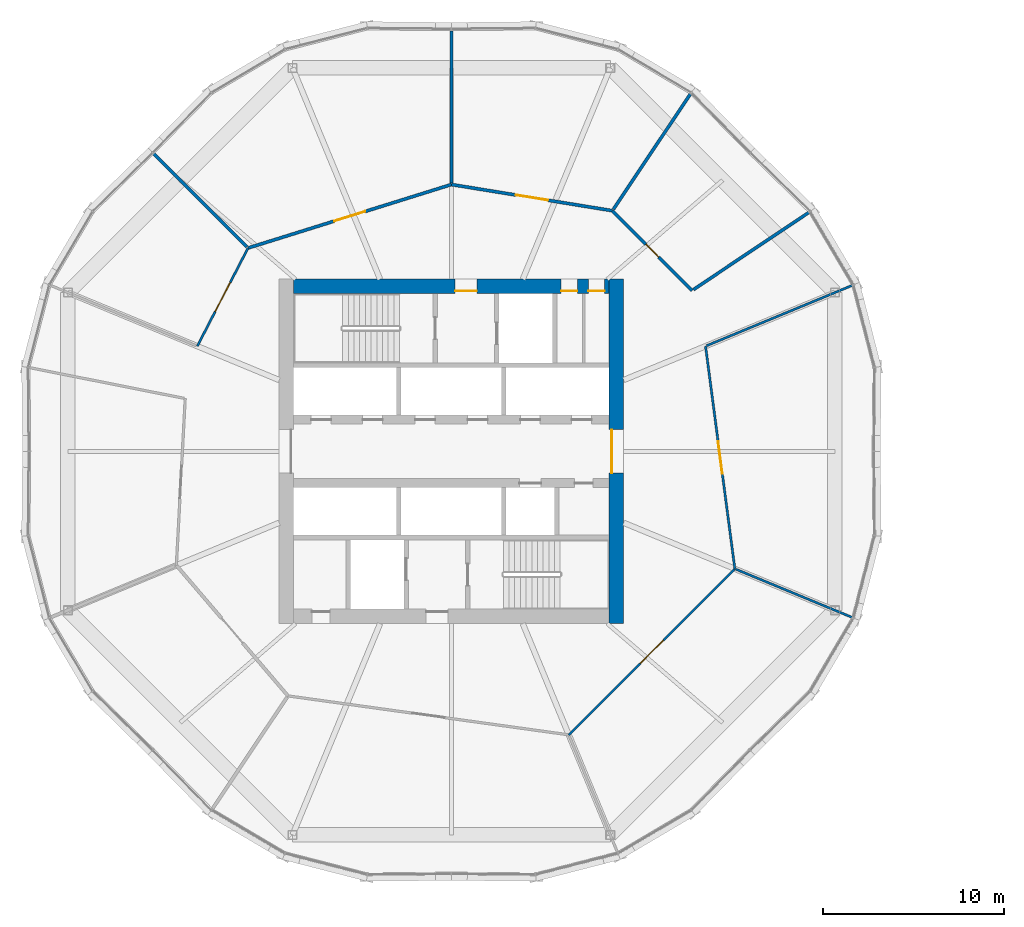
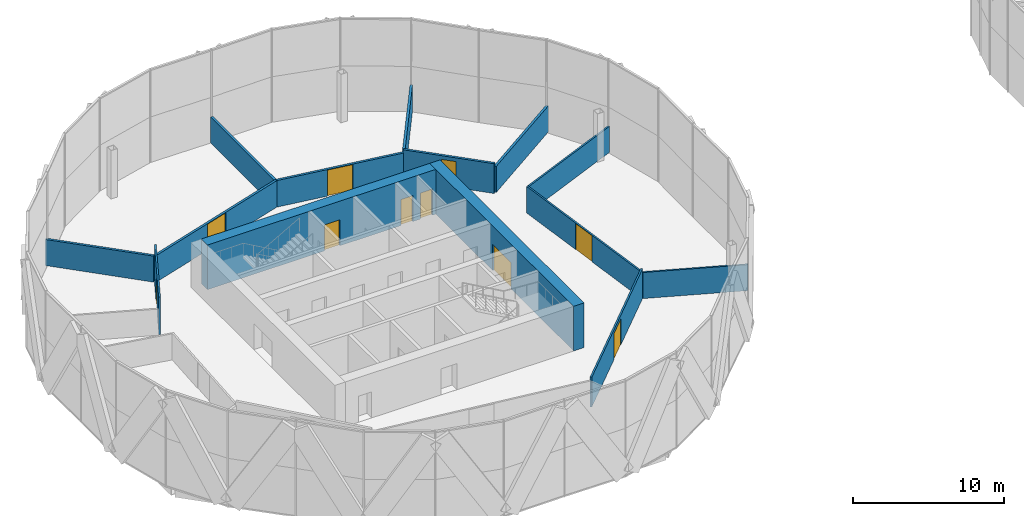
# One storey, part 23 of 31: 14 walls, 10 doors, 10 openings.
"""IFC4 building model written with IfcOpenShell, lengths in metres."""

from ifc_helpers import new_model, si_unit, direction, frame, frame_2d, origin, place, context, subcontext, project, spatial, rectangle, extrude, material, layer, layer_set, type_object, element, fill, save


model = new_model("IFC4")

# Units and contexts
model_context = context("Model", 3, precision=1e-05, world=origin(), true_north=direction((0.0, 1.0)))
body_context = subcontext(model_context, "Body", "Model", "MODEL_VIEW")
ifc_project = project(units=[si_unit("LENGTHUNIT", "METRE"), si_unit("AREAUNIT", "SQUARE_METRE"), si_unit("VOLUMEUNIT", "CUBIC_METRE"), si_unit("PLANEANGLEUNIT", "RADIAN"), si_unit("MASSUNIT", "GRAM", prefix="KILO")], contexts=[model_context])

# Site, building, storey
site_placement = place(None, origin())
site = spatial("IfcSite", under=ifc_project, at=site_placement, CompositionType="ELEMENT")
building_placement = place(site_placement, origin())
building = spatial("IfcBuilding", under=site, at=building_placement, Name="Ogive Gate Towers", CompositionType="ELEMENT")
storey_placement = place(building_placement, frame((0.0, 0.0, 63.60009765625)))
storey = spatial("IfcBuildingStorey", under=building, at=storey_placement, Name="L14", CompositionType="ELEMENT", Elevation=63.60009765625)

# Walls
ifc_material_1 = material(Name="Gypsum board acoustic partition")
ifc_layer_1 = layer(ifc_material_1, 0.175048828125)
ifc_layer_set_1 = layer_set([ifc_layer_1], Name="Acoustic partition 175")
wall_type_1 = type_object("IfcWallType", Name="Acoustic partition 175", PredefinedType="PARTITIONING", material=ifc_layer_set_1)
for number, where, z_axis, x_axis, name in (
    (1, (-16.17919921875, 13.2529296875, 0.0), (0.0, 0.0, 1.0), (-0.831301260907, -0.555822106087, 0.0), "Partition T1-L14-002"),
    (2, (-22.7470703125, 19.82080078125, 0.0), (0.0, 0.0, 1.0), (-0.555822106087, -0.831301260907, 0.0), "Partition T1-L14-003"),
):
    element("IfcWall", number, at=place(storey_placement, frame(where, z_axis=z_axis, x_axis=x_axis)), inside=storey, type_object=wall_type_1, Name=name, PredefinedType="PARTITIONING", context=body_context, shape_type="SweptSolid", body=[
        extrude(rectangle(XDim=7.7802734375, YDim=0.175048828125, at=frame_2d((3.89013671875, 0.0))), origin(), (0.0, 0.0, 1.0), 2.099853515625),
    ])
wall_1_placement = place(storey_placement, frame((-36.0, 23.208984375, 0.0), z_axis=(0.0, 0.0, 1.0), x_axis=(0.0, -1.0, 0.0)))
element("IfcWall", 3, at=wall_1_placement, inside=storey, type_object=wall_type_1, Name="Partition T1-L14-004", PredefinedType="PARTITIONING", context=body_context, shape_type="SweptSolid", body=[
    extrude(rectangle(XDim=8.396484375, YDim=0.175048828125, at=frame_2d((4.1982421875, 0.0))), origin(), (0.0, 0.0, 1.0), 2.099853515625),
])
wall_2_placement = place(storey_placement, frame((-52.52490234375, 16.52490234375, 0.0), z_axis=(0.0, 0.0, 1.0), x_axis=(0.707106781187, -0.707106781187, 0.0)))
element("IfcWall", 4, at=wall_2_placement, inside=storey, type_object=wall_type_1, Name="Partition T1-L14-005", PredefinedType="PARTITIONING", context=body_context, shape_type="SweptSolid", body=[
    extrude(rectangle(XDim=7.412109375, YDim=0.175048828125, at=frame_2d((3.7060546875, 0.0))), origin(), (0.0, 0.0, 1.0), 2.099853515625),
])

# Wall, opening, door
wall_3_placement = place(storey_placement, frame((-22.719482421875, 8.879638671875, 0.0), z_axis=(0.0, 0.0, 1.0), x_axis=(-0.707106781187, 0.707106781187, 0.0)))
wall_3 = element("IfcWall", 5, at=wall_3_placement, inside=storey, type_object=wall_type_1, Name="Partition T1-L14-012", PredefinedType="PARTITIONING", context=body_context, shape_type="SweptSolid", body=[
    extrude(rectangle(XDim=6.223876953125, YDim=0.175048828125, at=frame_2d((3.11181640625, 0.0))), origin(), (0.0, 0.0, 1.0), 2.39990234375),
])
opening_1_placement = place(wall_3_placement, frame((2.612060546875, 0.0, 0.0)))
opening_1 = element("IfcOpeningElement", 6, at=opening_1_placement, cuts=wall_3, Name="Opening T1-L14-D01", PredefinedType="OPENING", context=body_context, shape_type="SweptSolid", body=[
    extrude(rectangle(XDim=1.0, YDim=2.10009765625, at=frame_2d((0.5, 1.050048828125))), frame((0.0, 0.09765625, 0.0), z_axis=(0.0, -1.0, 0.0), x_axis=(1.0, 0.0, 0.0)), (0.0, 0.0, 1.0), 0.195068359375),
])
ifc_material_2 = material(Name="Timber door", Category="wood")
door_type_1 = type_object("IfcDoorType", Name="Door 1000", OperationType="NOTDEFINED", PredefinedType="DOOR", material=ifc_material_2)
door_1_placement = place(opening_1_placement, origin())
door_1 = element("IfcDoor", 7, at=door_1_placement, inside=storey, type_object=door_type_1, Name="Door T1-L14-D01", OperationType="SINGLE_SWING_LEFT", OverallHeight=2.10009765625, OverallWidth=1.0, PredefinedType="DOOR", context=body_context, shape_type="SweptSolid", body=[
    extrude(rectangle(XDim=1.0, YDim=2.10009765625, at=frame_2d((0.5, 1.050048828125))), frame((0.0, 0.02490234375, 0.0), z_axis=(0.0, -1.0, 0.0), x_axis=(1.0, 0.0, 0.0)), (0.0, 0.0, 1.0), 0.050048828125),
])
fill(opening_1, door_1)

wall_4_placement = place(storey_placement, frame((-27.120361328125, 13.280517578125, 0.0), z_axis=(0.0, 0.0, 1.0), x_axis=(-0.987023878965, 0.160573541883, 0.0)))
wall_4 = element("IfcWall", 8, at=wall_4_placement, inside=storey, type_object=wall_type_1, Name="Partition T1-L14-013", PredefinedType="PARTITIONING", context=body_context, shape_type="SweptSolid", body=[
    extrude(rectangle(XDim=8.996337890625, YDim=0.175048828125, at=frame_2d((4.498046875, 0.0))), origin(), (0.0, 0.0, 1.0), 2.139892578125),
])
opening_2_placement = place(wall_4_placement, frame((3.597900390625, 0.0, 0.0)))
opening_2 = element("IfcOpeningElement", 9, at=opening_2_placement, cuts=wall_4, Name="Opening T1-L14-D02", PredefinedType="OPENING", context=body_context, shape_type="SweptSolid", body=[
    extrude(rectangle(XDim=1.800048828125, YDim=2.10009765625, at=frame_2d((0.89990234375, 1.050048828125))), frame((0.0, 0.09765625, 0.0), z_axis=(0.0, -1.0, 0.0), x_axis=(1.0, 0.0, 0.0)), (0.0, 0.0, 1.0), 0.195068359375),
])
door_type_2 = type_object("IfcDoorType", Name="Door pair 1800", OperationType="NOTDEFINED", PredefinedType="DOOR", material=ifc_material_2)
door_2_placement = place(opening_2_placement, origin())
door_2 = element("IfcDoor", 10, at=door_2_placement, inside=storey, type_object=door_type_2, Name="Door T1-L14-D02", OperationType="DOUBLE_DOOR_DOUBLE_SWING", OverallHeight=2.10009765625, OverallWidth=1.800048828125, PredefinedType="DOOR", context=body_context, shape_type="SweptSolid", body=[
    extrude(rectangle(XDim=1.800048828125, YDim=2.10009765625, at=frame_2d((0.89990234375, 1.050048828125))), frame((0.0, 0.02490234375, 0.0), z_axis=(0.0, -1.0, 0.0), x_axis=(1.0, 0.0, 0.0)), (0.0, 0.0, 1.0), 0.050048828125),
])
fill(opening_2, door_2)

wall_5_placement = place(storey_placement, frame((-36.0, 14.72509765625, 0.0), z_axis=(0.0, 0.0, 1.0), x_axis=(-0.954561239175, -0.29801483296, 0.0)))
wall_5 = element("IfcWall", 11, at=wall_5_placement, inside=storey, type_object=wall_type_1, Name="Partition T1-L14-014", PredefinedType="PARTITIONING", context=body_context, shape_type="SweptSolid", body=[
    extrude(rectangle(XDim=11.755859375, YDim=0.175048828125, at=frame_2d((5.8779296875, 0.0))), origin(), (0.0, 0.0, 1.0), 2.139892578125),
])
opening_3_placement = place(wall_5_placement, frame((4.97802734375, 0.0, 0.0)))
opening_3 = element("IfcOpeningElement", 12, at=opening_3_placement, cuts=wall_5, Name="Opening T1-L14-D03", PredefinedType="OPENING", context=body_context, shape_type="SweptSolid", body=[
    extrude(rectangle(XDim=1.800048828125, YDim=2.10009765625, at=frame_2d((0.89990234375, 1.050048828125))), frame((0.0, 0.09765625, 0.0), z_axis=(0.0, -1.0, 0.0), x_axis=(1.0, 0.0, 0.0)), (0.0, 0.0, 1.0), 0.195068359375),
])
door_3_placement = place(opening_3_placement, origin())
door_3 = element("IfcDoor", 13, at=door_3_placement, inside=storey, type_object=door_type_2, Name="Door T1-L14-D03", OperationType="DOUBLE_DOOR_DOUBLE_SWING", OverallHeight=2.10009765625, OverallWidth=1.800048828125, PredefinedType="DOOR", context=body_context, shape_type="SweptSolid", body=[
    extrude(rectangle(XDim=1.800048828125, YDim=2.10009765625, at=frame_2d((0.89990234375, 1.050048828125))), frame((0.0, 0.02490234375, 0.0), z_axis=(0.0, -1.0, 0.0), x_axis=(1.0, 0.0, 0.0)), (0.0, 0.0, 1.0), 0.050048828125),
])
fill(opening_3, door_3)

# Wall, openings, doors
ifc_material_3 = material(Name="Concrete C60/75", Category="concrete")
ifc_layer_2 = layer(ifc_material_3, 0.800048828125)
ifc_layer_set_2 = layer_set([ifc_layer_2], Name="Core wall 800 mm")
wall_type_2 = type_object("IfcWallType", Name="Core wall 800 mm", PredefinedType="SHEAR", material=ifc_layer_set_2)
wall_6_placement = place(storey_placement, frame((-44.699951171875, 9.10009765625, 0.0), z_axis=(0.0, 0.0, 1.0), x_axis=(1.0, 0.0, 0.0)))
wall_6 = element("IfcWall", 14, at=wall_6_placement, inside=storey, type_object=wall_type_2, Name="T1 L14 Core wall 800 mm", PredefinedType="SHEAR", context=body_context, shape_type="SweptSolid", body=[
    extrude(rectangle(XDim=17.39990234375, YDim=0.800048828125, at=frame_2d((8.699951171875, 0.0))), origin(), (0.0, 0.0, 1.0), 3.599853515625),
])
opening_4_placement = place(wall_6_placement, frame((8.89990234375, 0.0, 0.0)))
opening_4 = element("IfcOpeningElement", 15, at=opening_4_placement, cuts=wall_6, Name="Opening KD-T1-L14-15", PredefinedType="OPENING", context=body_context, shape_type="SweptSolid", body=[
    extrude(rectangle(XDim=1.199951171875, YDim=2.10009765625, at=frame_2d((0.60009765625, 1.050048828125))), frame((0.0, 0.41015625, 0.0), z_axis=(0.0, -1.0, 0.0), x_axis=(1.0, 0.0, 0.0)), (0.0, 0.0, 1.0), 0.820068359375),
])
opening_5_placement = place(wall_6_placement, frame((14.75, 0.0, 0.0)))
opening_5 = element("IfcOpeningElement", 16, at=opening_5_placement, cuts=wall_6, Name="Opening KD-T1-L14-17", PredefinedType="OPENING", context=body_context, shape_type="SweptSolid", body=[
    extrude(rectangle(XDim=0.89990234375, YDim=2.10009765625, at=frame_2d((0.449951171875, 1.050048828125))), frame((0.0, 0.41015625, 0.0), z_axis=(0.0, -1.0, 0.0), x_axis=(1.0, 0.0, 0.0)), (0.0, 0.0, 1.0), 0.820068359375),
])
opening_6_placement = place(wall_6_placement, frame((16.25, 0.0, 0.0)))
opening_6 = element("IfcOpeningElement", 17, at=opening_6_placement, cuts=wall_6, Name="Opening KD-T1-L14-18", PredefinedType="OPENING", context=body_context, shape_type="SweptSolid", body=[
    extrude(rectangle(XDim=0.89990234375, YDim=2.10009765625, at=frame_2d((0.449951171875, 1.050048828125))), frame((0.0, 0.41015625, 0.0), z_axis=(0.0, -1.0, 0.0), x_axis=(1.0, 0.0, 0.0)), (0.0, 0.0, 1.0), 0.820068359375),
])
door_type_3 = type_object("IfcDoorType", Name="Core WC door 900 x 2100", OperationType="NOTDEFINED", PredefinedType="DOOR", material=ifc_material_2)
door_4_placement = place(opening_5_placement, origin())
door_4 = element("IfcDoor", 18, at=door_4_placement, inside=storey, type_object=door_type_3, Name="T1 L14 Core door", OperationType="SINGLE_SWING_RIGHT", OverallHeight=2.10009765625, OverallWidth=0.89990234375, PredefinedType="DOOR", context=body_context, shape_type="SweptSolid", body=[
    extrude(rectangle(XDim=0.89990234375, YDim=2.10009765625, at=frame_2d((0.449951171875, 1.050048828125))), frame((0.0, -0.22509765625, 0.0), z_axis=(0.0, -1.0, 0.0), x_axis=(1.0, 0.0, 0.0)), (0.0, 0.0, 1.0), 0.050048828125),
])
fill(opening_5, door_4)
door_5_placement = place(opening_6_placement, origin())
door_5 = element("IfcDoor", 19, at=door_5_placement, inside=storey, type_object=door_type_3, Name="T1 L14 Core door", OperationType="SINGLE_SWING_LEFT", OverallHeight=2.10009765625, OverallWidth=0.89990234375, PredefinedType="DOOR", context=body_context, shape_type="SweptSolid", body=[
    extrude(rectangle(XDim=0.89990234375, YDim=2.10009765625, at=frame_2d((0.449951171875, 1.050048828125))), frame((0.0, -0.22509765625, 0.0), z_axis=(0.0, -1.0, 0.0), x_axis=(1.0, 0.0, 0.0)), (0.0, 0.0, 1.0), 0.050048828125),
])
fill(opening_6, door_5)
ifc_material_4 = material(Name="Steel fire door", Category="steel")
door_type_4 = type_object("IfcDoorType", Name="Core door FD60S 1200 x 2100", OperationType="NOTDEFINED", PredefinedType="DOOR", material=ifc_material_4)
door_6_placement = place(opening_4_placement, origin())
door_6 = element("IfcDoor", 20, at=door_6_placement, inside=storey, type_object=door_type_4, Name="T1 L14 Fire-fighting lobby door", OperationType="SINGLE_SWING_RIGHT", OverallHeight=2.10009765625, OverallWidth=1.199951171875, PredefinedType="DOOR", context=body_context, shape_type="SweptSolid", body=[
    extrude(rectangle(XDim=1.199951171875, YDim=2.10009765625, at=frame_2d((0.60009765625, 1.050048828125))), frame((0.0, -0.22509765625, 0.0), z_axis=(0.0, -1.0, 0.0), x_axis=(1.0, 0.0, 0.0)), (0.0, 0.0, 1.0), 0.050048828125),
])
fill(opening_4, door_6)

# Wall, opening, door
wall_7_placement = place(storey_placement, frame((-26.89990234375, -9.5, 0.0), z_axis=(0.0, 0.0, 1.0), x_axis=(0.0, 1.0, 0.0)))
wall_7 = element("IfcWall", 21, at=wall_7_placement, inside=storey, type_object=wall_type_2, Name="T1 L14 Core wall 800 mm", PredefinedType="SHEAR", context=body_context, shape_type="SweptSolid", body=[
    extrude(rectangle(XDim=19.0, YDim=0.800048828125, at=frame_2d((9.5, 0.0))), origin(), (0.0, 0.0, 1.0), 3.599853515625),
])
opening_7_placement = place(wall_7_placement, frame((8.300048828125, 0.0, 0.0)))
opening_7 = element("IfcOpeningElement", 22, at=opening_7_placement, cuts=wall_7, Name="Opening KD-T1-L14-02", PredefinedType="OPENING", context=body_context, shape_type="SweptSolid", body=[
    extrude(rectangle(XDim=2.39990234375, YDim=2.10009765625, at=frame_2d((1.199951171875, 1.050048828125))), frame((0.0, 0.41015625, 0.0), z_axis=(0.0, -1.0, 0.0), x_axis=(1.0, 0.0, 0.0)), (0.0, 0.0, 1.0), 0.820068359375),
])
door_type_5 = type_object("IfcDoorType", Name="Core double door FD60S 2400 x 2100", OperationType="DOUBLE_DOOR_SINGLE_SWING", PredefinedType="DOOR", material=ifc_material_4)
door_7_placement = place(opening_7_placement, origin())
door_7 = element("IfcDoor", 23, at=door_7_placement, inside=storey, type_object=door_type_5, Name="T1 L14 Core door double", OperationType="DOUBLE_DOOR_SINGLE_SWING", OverallHeight=2.10009765625, OverallWidth=2.39990234375, PredefinedType="DOOR", context=body_context, shape_type="SweptSolid", body=[
    extrude(rectangle(XDim=2.39990234375, YDim=2.10009765625, at=frame_2d((1.199951171875, 1.050048828125))), frame((0.0, 0.27490234375, 0.0), z_axis=(0.0, -1.0, 0.0), x_axis=(1.0, 0.0, 0.0)), (0.0, 0.0, 1.0), 0.050048828125),
])
fill(opening_7, door_7)

# Walls
ifc_material_5 = material(Name="Gypsum board partition")
ifc_layer_3 = layer(ifc_material_5, 0.125)
ifc_layer_set_3 = layer_set([ifc_layer_3], Name="Partition 125")
wall_type_3 = type_object("IfcWallType", Name="Partition 125", PredefinedType="PARTITIONING", material=ifc_layer_set_3)
wall_8_placement = place(storey_placement, frame((-13.83154296875, 9.182373046875, 0.0), z_axis=(0.0, 0.0, 1.0), x_axis=(-0.923883284304, -0.38267437461, 0.0)))
element("IfcWall", 24, at=wall_8_placement, inside=storey, type_object=wall_type_3, Name="Partition T1-L14-001", PredefinedType="PARTITIONING", context=body_context, shape_type="SweptSolid", body=[
    extrude(rectangle(XDim=8.75634765625, YDim=0.125, at=frame_2d((4.378173828125, 0.0))), origin(), (0.0, 0.0, 1.0), 2.099853515625),
])
wall_9_placement = place(storey_placement, frame((-13.83154296875, -9.182373046875, 0.0), z_axis=(0.0, 0.0, 1.0), x_axis=(-0.923885179641, 0.382669798703, 0.0)))
element("IfcWall", 25, at=wall_9_placement, inside=storey, type_object=wall_type_3, Name="Partition T1-L14-011", PredefinedType="PARTITIONING", context=body_context, shape_type="SweptSolid", body=[
    extrude(rectangle(XDim=7.00634765625, YDim=0.125, at=frame_2d((3.503173828125, 0.0))), origin(), (0.0, 0.0, 1.0), 2.099853515625),
])

# Wall, opening, door
wall_10_placement = place(storey_placement, frame((-47.2216796875, 11.2216796875, 0.0), z_axis=(0.0, 0.0, 1.0), x_axis=(-0.459254002115, -0.888304993536, 0.0)))
wall_10 = element("IfcWall", 26, at=wall_10_placement, inside=storey, type_object=wall_type_3, Name="Partition T1-L14-015", PredefinedType="PARTITIONING", context=body_context, shape_type="SweptSolid", body=[
    extrude(rectangle(XDim=6.0947265625, YDim=0.125, at=frame_2d((3.04736328125, 0.0))), origin(), (0.0, 0.0, 1.0), 3.010009765625),
])
opening_8_placement = place(wall_10_placement, frame((2.14697265625, 0.0, 0.0)))
opening_8 = element("IfcOpeningElement", 27, at=opening_8_placement, cuts=wall_10, Name="Opening T1-L14-D04", PredefinedType="OPENING", context=body_context, shape_type="SweptSolid", body=[
    extrude(rectangle(XDim=1.800048828125, YDim=2.10009765625, at=frame_2d((0.89990234375, 1.050048828125))), frame((0.0, 0.072509765625, 0.0), z_axis=(0.0, -1.0, 0.0), x_axis=(1.0, 0.0, 0.0)), (0.0, 0.0, 1.0), 0.14501953125),
])
door_8_placement = place(opening_8_placement, origin())
door_8 = element("IfcDoor", 28, at=door_8_placement, inside=storey, type_object=door_type_2, Name="Door T1-L14-D04", OperationType="DOUBLE_DOOR_DOUBLE_SWING", OverallHeight=2.10009765625, OverallWidth=1.800048828125, PredefinedType="DOOR", context=body_context, shape_type="SweptSolid", body=[
    extrude(rectangle(XDim=1.800048828125, YDim=2.10009765625, at=frame_2d((0.89990234375, 1.050048828125))), frame((0.0, 0.02490234375, 0.0), z_axis=(0.0, -1.0, 0.0), x_axis=(1.0, 0.0, 0.0)), (0.0, 0.0, 1.0), 0.050048828125),
])
fill(opening_8, door_8)

wall_11_placement = place(storey_placement, frame((-29.522705078125, -15.6376953125, 0.0), z_axis=(0.0, 0.0, 1.0), x_axis=(0.707106781187, 0.707106781187, 0.0)))
wall_11 = element("IfcWall", 29, at=wall_11_placement, inside=storey, type_object=wall_type_3, Name="Partition T1-L14-019", PredefinedType="PARTITIONING", context=body_context, shape_type="SweptSolid", body=[
    extrude(rectangle(XDim=12.954833984375, YDim=0.125, at=frame_2d((6.4775390625, 0.0))), origin(), (0.0, 0.0, 1.0), 2.39990234375),
])
opening_9_placement = place(wall_11_placement, frame((5.576904296875, 0.0, 0.0)))
opening_9 = element("IfcOpeningElement", 30, at=opening_9_placement, cuts=wall_11, Name="Opening T1-L14-D08", PredefinedType="OPENING", context=body_context, shape_type="SweptSolid", body=[
    extrude(rectangle(XDim=1.800048828125, YDim=2.10009765625, at=frame_2d((0.89990234375, 1.050048828125))), frame((0.0, 0.072509765625, 0.0), z_axis=(0.0, -1.0, 0.0), x_axis=(1.0, 0.0, 0.0)), (0.0, 0.0, 1.0), 0.14501953125),
])
door_9_placement = place(opening_9_placement, origin())
door_9 = element("IfcDoor", 31, at=door_9_placement, inside=storey, type_object=door_type_2, Name="Door T1-L14-D08", OperationType="DOUBLE_DOOR_DOUBLE_SWING", OverallHeight=2.10009765625, OverallWidth=1.800048828125, PredefinedType="DOOR", context=body_context, shape_type="SweptSolid", body=[
    extrude(rectangle(XDim=1.800048828125, YDim=2.10009765625, at=frame_2d((0.89990234375, 1.050048828125))), frame((0.0, 0.02490234375, 0.0), z_axis=(0.0, -1.0, 0.0), x_axis=(1.0, 0.0, 0.0)), (0.0, 0.0, 1.0), 0.050048828125),
])
fill(opening_9, door_9)

wall_12_placement = place(storey_placement, frame((-20.3623046875, -6.477294921875, 0.0), z_axis=(0.0, 0.0, 1.0), x_axis=(-0.130494777423, 0.991448996704, 0.0)))
wall_12 = element("IfcWall", 32, at=wall_12_placement, inside=storey, type_object=wall_type_3, Name="Partition T1-L14-020", PredefinedType="PARTITIONING", context=body_context, shape_type="SweptSolid", body=[
    extrude(rectangle(XDim=12.390869140625, YDim=0.125, at=frame_2d((6.1953125, 0.0))), origin(), (0.0, 0.0, 1.0), 2.139892578125),
])
opening_10_placement = place(wall_12_placement, frame((5.294921875, 0.0, 0.0)))
opening_10 = element("IfcOpeningElement", 33, at=opening_10_placement, cuts=wall_12, Name="Opening T1-L14-D09", PredefinedType="OPENING", context=body_context, shape_type="SweptSolid", body=[
    extrude(rectangle(XDim=1.800048828125, YDim=2.10009765625, at=frame_2d((0.89990234375, 1.050048828125))), frame((0.0, 0.072509765625, 0.0), z_axis=(0.0, -1.0, 0.0), x_axis=(1.0, 0.0, 0.0)), (0.0, 0.0, 1.0), 0.14501953125),
])
door_10_placement = place(opening_10_placement, origin())
door_10 = element("IfcDoor", 34, at=door_10_placement, inside=storey, type_object=door_type_2, Name="Door T1-L14-D09", OperationType="DOUBLE_DOOR_DOUBLE_SWING", OverallHeight=2.10009765625, OverallWidth=1.800048828125, PredefinedType="DOOR", context=body_context, shape_type="SweptSolid", body=[
    extrude(rectangle(XDim=1.800048828125, YDim=2.10009765625, at=frame_2d((0.89990234375, 1.050048828125))), frame((0.0, 0.02490234375, 0.0), z_axis=(0.0, -1.0, 0.0), x_axis=(1.0, 0.0, 0.0)), (0.0, 0.0, 1.0), 0.050048828125),
])
fill(opening_10, door_10)

save(model, "model.ifc")
